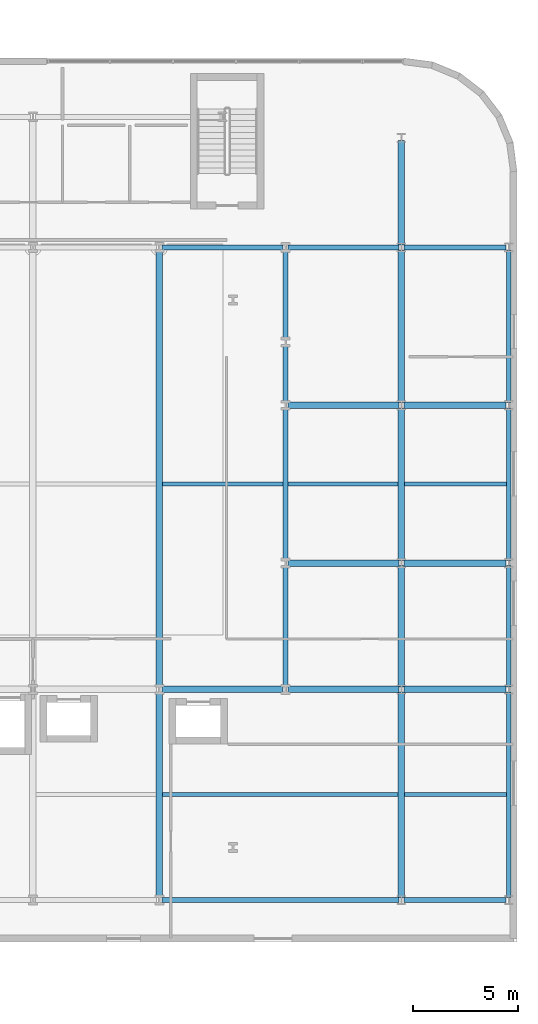
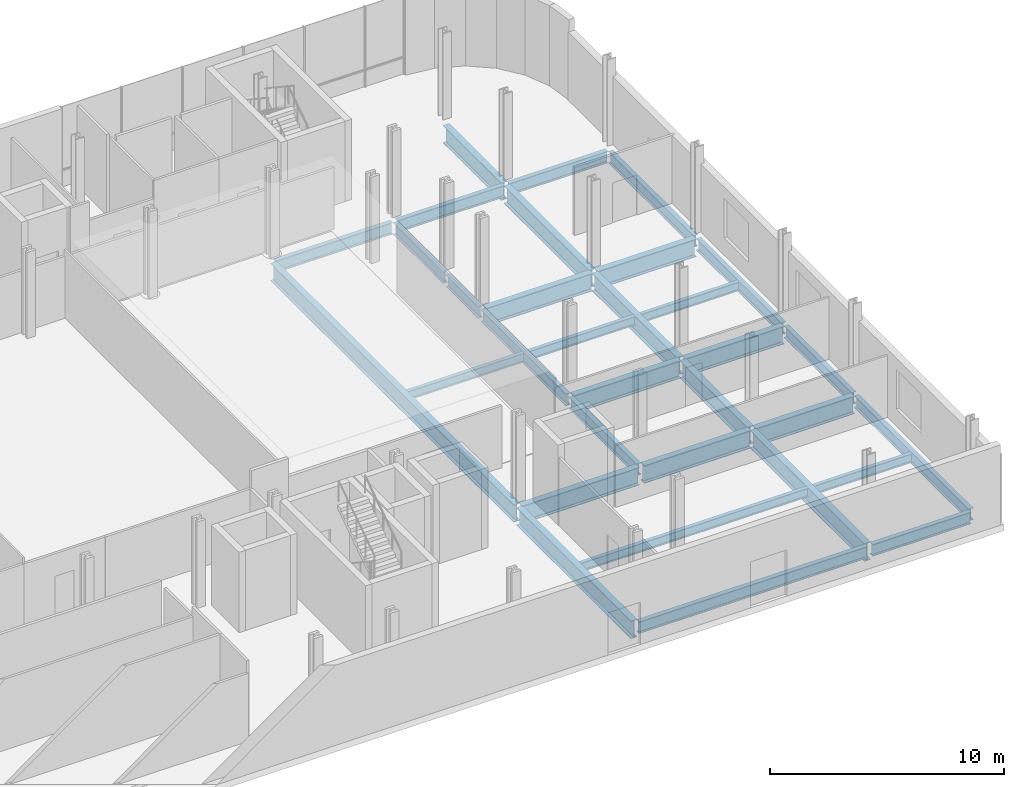
# One storey, part 12 of 28: 32 beams.
"""IFC4 building model written with IfcOpenShell, lengths in metres."""

from ifc_helpers import new_model, si_unit, direction, frame, origin, origin_2d, place, context, subcontext, project, spatial, i_section, extrude, material, material_profile, profile_set, type_object, element, save


model = new_model("IFC4")

# Units and contexts
model_context = context("Model", 3, precision=1e-05, world=origin(), true_north=direction((0.0, 1.0)))
body_context = subcontext(model_context, "Body", "Model", "MODEL_VIEW")
ifc_project = project(units=[si_unit("LENGTHUNIT", "METRE"), si_unit("AREAUNIT", "SQUARE_METRE"), si_unit("VOLUMEUNIT", "CUBIC_METRE"), si_unit("PLANEANGLEUNIT", "RADIAN"), si_unit("MASSUNIT", "GRAM", prefix="KILO")], contexts=[model_context])

# Site, building, storey
site_placement = place(None, origin())
site = spatial("IfcSite", under=ifc_project, at=site_placement, CompositionType="ELEMENT")
building_placement = place(site_placement, origin())
building = spatial("IfcBuilding", under=site, at=building_placement, Name="Brevholm Reach", CompositionType="ELEMENT")
storey_placement = place(building_placement, origin())
storey = spatial("IfcBuildingStorey", under=building, at=storey_placement, Name="L00", CompositionType="ELEMENT", Elevation=0.0)

# Beams
ifc_material_1 = material(Name="Structural Steel S355J2", Category="steel")
ifc_material_profile_1 = material_profile(ifc_material_1, i_section(OverallWidth=0.1904296875, OverallDepth=0.45703125, WebThickness=0.009033203125, FlangeThickness=0.014404296875, FilletRadius=0.01025390625, at=origin_2d()), Name="UKB 457x191x74")
ifc_profile_set_1 = profile_set([ifc_material_profile_1], Name="Structural Steel S355J2")
beam_type_1 = type_object("IfcBeamType", Name="BM-B457", PredefinedType="BEAM", material=ifc_profile_set_1)
beam_1_placement = place(storey_placement, frame((54.15380859375, 5.0, -0.568603515625), z_axis=(1.0, 0.0, 0.0), x_axis=(0.0, 1.0, 0.0)))
element("IfcBeam", 1, at=beam_1_placement, inside=storey, type_object=beam_type_1, Name="L00 Composite Secondary Floor Beam", PredefinedType="BEAM", context=body_context, shape_type="SweptSolid", body=[
    extrude(i_section(OverallWidth=0.1904296875, OverallDepth=0.45703125, WebThickness=0.009033203125, FlangeThickness=0.014404296875, FilletRadius=0.01025390625, at=origin_2d()), origin(), (0.0, 0.0, 1.0), 11.1923828125),
])
beam_2_placement = place(storey_placement, frame((65.65380859375, 5.0, -0.568603515625), z_axis=(1.0, 0.0, 0.0), x_axis=(0.0, 1.0, 0.0)))
element("IfcBeam", 2, at=beam_2_placement, inside=storey, type_object=beam_type_1, Name="L00 Composite Secondary Floor Beam", PredefinedType="BEAM", context=body_context, shape_type="SweptSolid", body=[
    extrude(i_section(OverallWidth=0.1904296875, OverallDepth=0.45703125, WebThickness=0.009033203125, FlangeThickness=0.014404296875, FilletRadius=0.01025390625, at=origin_2d()), origin(), (0.0, 0.0, 1.0), 4.831787109375),
])
beam_3_placement = place(storey_placement, frame((54.15380859375, 19.75, -0.568603515625), z_axis=(1.0, 0.0, 0.0), x_axis=(0.0, 1.0, 0.0)))
element("IfcBeam", 3, at=beam_3_placement, inside=storey, type_object=beam_type_1, Name="L00 Composite Secondary Floor Beam", PredefinedType="BEAM", context=body_context, shape_type="SweptSolid", body=[
    extrude(i_section(OverallWidth=0.1904296875, OverallDepth=0.45703125, WebThickness=0.009033203125, FlangeThickness=0.014404296875, FilletRadius=0.01025390625, at=origin_2d()), origin(), (0.0, 0.0, 1.0), 5.731689453125),
])
beam_4_placement = place(storey_placement, frame((60.114501953125, 19.75, -0.568603515625), z_axis=(1.0, 0.0, 0.0), x_axis=(0.0, 1.0, 0.0)))
element("IfcBeam", 4, at=beam_4_placement, inside=storey, type_object=beam_type_1, Name="L00 Composite Secondary Floor Beam", PredefinedType="BEAM", context=body_context, shape_type="SweptSolid", body=[
    extrude(i_section(OverallWidth=0.1904296875, OverallDepth=0.45703125, WebThickness=0.009033203125, FlangeThickness=0.014404296875, FilletRadius=0.01025390625, at=origin_2d()), origin(), (0.0, 0.0, 1.0), 5.231689453125),
])
beam_5_placement = place(storey_placement, frame((65.65380859375, 19.75, -0.568603515625), z_axis=(1.0, 0.0, 0.0), x_axis=(0.0, 1.0, 0.0)))
element("IfcBeam", 5, at=beam_5_placement, inside=storey, type_object=beam_type_1, Name="L00 Composite Secondary Floor Beam", PredefinedType="BEAM", context=body_context, shape_type="SweptSolid", body=[
    extrude(i_section(OverallWidth=0.1904296875, OverallDepth=0.45703125, WebThickness=0.009033203125, FlangeThickness=0.014404296875, FilletRadius=0.01025390625, at=origin_2d()), origin(), (0.0, 0.0, 1.0), 4.831787109375),
])
ifc_material_2 = material(Name="Structural Steel S355J2", Category="steel")
ifc_material_profile_2 = material_profile(ifc_material_2, i_section(OverallWidth=0.22900390625, OverallDepth=0.6123046875, WebThickness=0.011962890625, FlangeThickness=0.01953125, FilletRadius=0.0126953125, at=origin_2d()), Name="UKB 610x229x125")
ifc_profile_set_2 = profile_set([ifc_material_profile_2], Name="Structural Steel S355J2")
beam_type_2 = type_object("IfcBeamType", Name="BM-SP610", PredefinedType="SPANDREL", material=ifc_profile_set_2)
beam_6_placement = place(storey_placement, frame((54.1201171875, 0.0, -0.64599609375), z_axis=(1.0, 0.0, 0.0), x_axis=(0.0, 1.0, 0.0)))
element("IfcBeam", 6, at=beam_6_placement, inside=storey, type_object=beam_type_2, Name="L00 SP-01 Framing Beam", PredefinedType="SPANDREL", context=body_context, shape_type="SweptSolid", body=[
    extrude(i_section(OverallWidth=0.22900390625, OverallDepth=0.6123046875, WebThickness=0.011962890625, FlangeThickness=0.01953125, FilletRadius=0.0126953125, at=origin_2d()), origin(), (0.0, 0.0, 1.0), 11.259765625),
])
beam_7_placement = place(storey_placement, frame((65.6201171875, 0.0, -0.64599609375), z_axis=(1.0, 0.0, 0.0), x_axis=(0.0, 1.0, 0.0)))
element("IfcBeam", 7, at=beam_7_placement, inside=storey, type_object=beam_type_2, Name="L00 SP-01 Framing Beam", PredefinedType="SPANDREL", context=body_context, shape_type="SweptSolid", body=[
    extrude(i_section(OverallWidth=0.22900390625, OverallDepth=0.6123046875, WebThickness=0.011962890625, FlangeThickness=0.01953125, FilletRadius=0.0126953125, at=origin_2d()), origin(), (0.0, 0.0, 1.0), 4.85986328125),
])
beam_8_placement = place(storey_placement, frame((54.1201171875, 31.0, -0.64599609375), z_axis=(1.0, 0.0, 0.0), x_axis=(0.0, 1.0, 0.0)))
element("IfcBeam", 8, at=beam_8_placement, inside=storey, type_object=beam_type_2, Name="L00 SP-01 Framing Beam", PredefinedType="SPANDREL", context=body_context, shape_type="SweptSolid", body=[
    extrude(i_section(OverallWidth=0.22900390625, OverallDepth=0.6123046875, WebThickness=0.011962890625, FlangeThickness=0.01953125, FilletRadius=0.0126953125, at=origin_2d()), origin(), (0.0, 0.0, 1.0), 5.759765625),
])
beam_9_placement = place(storey_placement, frame((60.1201171875, 31.0, -0.64599609375), z_axis=(1.0, 0.0, 0.0), x_axis=(0.0, 1.0, 0.0)))
element("IfcBeam", 9, at=beam_9_placement, inside=storey, type_object=beam_type_2, Name="L00 SP-01 Framing Beam", PredefinedType="SPANDREL", context=body_context, shape_type="SweptSolid", body=[
    extrude(i_section(OverallWidth=0.22900390625, OverallDepth=0.6123046875, WebThickness=0.011962890625, FlangeThickness=0.01953125, FilletRadius=0.0126953125, at=origin_2d()), origin(), (0.0, 0.0, 1.0), 5.259765625),
])
beam_10_placement = place(storey_placement, frame((65.6201171875, 31.0, -0.64599609375), z_axis=(1.0, 0.0, 0.0), x_axis=(0.0, 1.0, 0.0)))
element("IfcBeam", 10, at=beam_10_placement, inside=storey, type_object=beam_type_2, Name="L00 SP-01 Framing Beam", PredefinedType="SPANDREL", context=body_context, shape_type="SweptSolid", body=[
    extrude(i_section(OverallWidth=0.22900390625, OverallDepth=0.6123046875, WebThickness=0.011962890625, FlangeThickness=0.01953125, FilletRadius=0.0126953125, at=origin_2d()), origin(), (0.0, 0.0, 1.0), 4.85986328125),
])
beam_11_placement = place(storey_placement, frame((60.0, 10.1201171875, -0.64599609375), z_axis=(0.0, 1.0, 0.0), x_axis=(-1.0, 0.0, 0.0)))
element("IfcBeam", 11, at=beam_11_placement, inside=storey, type_object=beam_type_2, Name="L00 SP-01 Framing Beam", PredefinedType="SPANDREL", context=body_context, shape_type="SweptSolid", body=[
    extrude(i_section(OverallWidth=0.22900390625, OverallDepth=0.6123046875, WebThickness=0.011962890625, FlangeThickness=0.01953125, FilletRadius=0.0126953125, at=origin_2d()), origin(), (0.0, 0.0, 1.0), 5.759765625),
])
beam_12_placement = place(storey_placement, frame((60.0, 16.1201171875, -0.64599609375), z_axis=(0.0, 1.0, 0.0), x_axis=(-1.0, 0.0, 0.0)))
element("IfcBeam", 12, at=beam_12_placement, inside=storey, type_object=beam_type_2, Name="L00 SP-01 Framing Beam", PredefinedType="SPANDREL", context=body_context, shape_type="SweptSolid", body=[
    extrude(i_section(OverallWidth=0.22900390625, OverallDepth=0.6123046875, WebThickness=0.011962890625, FlangeThickness=0.01953125, FilletRadius=0.0126953125, at=origin_2d()), origin(), (0.0, 0.0, 1.0), 7.259765625),
])
beam_13_placement = place(storey_placement, frame((60.0, 23.6201171875, -0.64599609375), z_axis=(0.0, 1.0, 0.0), x_axis=(-1.0, 0.0, 0.0)))
element("IfcBeam", 13, at=beam_13_placement, inside=storey, type_object=beam_type_2, Name="L00 SP-01 Framing Beam", PredefinedType="SPANDREL", context=body_context, shape_type="SweptSolid", body=[
    extrude(i_section(OverallWidth=0.22900390625, OverallDepth=0.6123046875, WebThickness=0.011962890625, FlangeThickness=0.01953125, FilletRadius=0.0126953125, at=origin_2d()), origin(), (0.0, 0.0, 1.0), 2.759765625),
])
beam_14_placement = place(storey_placement, frame((60.0, 26.6201171875, -0.64599609375), z_axis=(0.0, 1.0, 0.0), x_axis=(-1.0, 0.0, 0.0)))
element("IfcBeam", 14, at=beam_14_placement, inside=storey, type_object=beam_type_2, Name="L00 SP-01 Framing Beam", PredefinedType="SPANDREL", context=body_context, shape_type="SweptSolid", body=[
    extrude(i_section(OverallWidth=0.22900390625, OverallDepth=0.6123046875, WebThickness=0.011962890625, FlangeThickness=0.01953125, FilletRadius=0.0126953125, at=origin_2d()), origin(), (0.0, 0.0, 1.0), 4.259765625),
])
beam_15_placement = place(storey_placement, frame((70.60009765625, 0.1201171875, -0.64599609375), z_axis=(0.0, 1.0, 0.0), x_axis=(-1.0, 0.0, 0.0)))
element("IfcBeam", 15, at=beam_15_placement, inside=storey, type_object=beam_type_2, Name="L00 SP-01 Framing Beam", PredefinedType="SPANDREL", context=body_context, shape_type="SweptSolid", body=[
    extrude(i_section(OverallWidth=0.22900390625, OverallDepth=0.6123046875, WebThickness=0.011962890625, FlangeThickness=0.01953125, FilletRadius=0.0126953125, at=origin_2d()), origin(), (0.0, 0.0, 1.0), 9.759765625),
])
beam_16_placement = place(storey_placement, frame((70.60009765625, 10.1201171875, -0.64599609375), z_axis=(0.0, 1.0, 0.0), x_axis=(-1.0, 0.0, 0.0)))
element("IfcBeam", 16, at=beam_16_placement, inside=storey, type_object=beam_type_2, Name="L00 SP-01 Framing Beam", PredefinedType="SPANDREL", context=body_context, shape_type="SweptSolid", body=[
    extrude(i_section(OverallWidth=0.22900390625, OverallDepth=0.6123046875, WebThickness=0.011962890625, FlangeThickness=0.01953125, FilletRadius=0.0126953125, at=origin_2d()), origin(), (0.0, 0.0, 1.0), 5.759765625),
])
for number, where, z_axis, x_axis, name in (
    (17, (70.60009765625, 16.1201171875, -0.64599609375), (0.0, 1.0, 0.0), (-1.0, 0.0, 0.0), "L00 SP-01 Framing Beam"),
    (18, (70.60009765625, 23.6201171875, -0.64599609375), (0.0, 1.0, 0.0), (-1.0, 0.0, 0.0), "L00 SP-01 Framing Beam"),
):
    element("IfcBeam", number, at=place(storey_placement, frame(where, z_axis=z_axis, x_axis=x_axis)), inside=storey, type_object=beam_type_2, Name=name, PredefinedType="SPANDREL", context=body_context, shape_type="SweptSolid", body=[
        extrude(i_section(OverallWidth=0.22900390625, OverallDepth=0.6123046875, WebThickness=0.011962890625, FlangeThickness=0.01953125, FilletRadius=0.0126953125, at=origin_2d()), origin(), (0.0, 0.0, 1.0), 7.259765625),
    ])
ifc_material_3 = material(Name="Structural Steel S460ML", Category="steel")
ifc_material_profile_3 = material_profile(ifc_material_3, i_section(OverallWidth=0.3076171875, OverallDepth=0.926513671875, WebThickness=0.01953125, FlangeThickness=0.031982421875, FilletRadius=0.01904296875, at=origin_2d()), Name="UKB 914x305x289")
ifc_profile_set_3 = profile_set([ifc_material_profile_3], Name="Structural Steel S460ML")
beam_type_3 = type_object("IfcBeamType", Name="BM-UKB914B", PredefinedType="USERDEFINED", material=ifc_profile_set_3)
beam_17_placement = place(storey_placement, frame((54.1201171875, 10.0, -0.80322265625), z_axis=(1.0, 0.0, 0.0), x_axis=(0.0, 1.0, 0.0)))
element("IfcBeam", 19, at=beam_17_placement, inside=storey, type_object=beam_type_3, Name="L00 G-02B Framing Beam", ObjectType="GIRDER", PredefinedType="USERDEFINED", context=body_context, shape_type="SweptSolid", body=[
    extrude(i_section(OverallWidth=0.3076171875, OverallDepth=0.926513671875, WebThickness=0.01953125, FlangeThickness=0.031982421875, FilletRadius=0.01904296875, at=origin_2d()), origin(), (0.0, 0.0, 1.0), 5.759765625),
])
beam_18_placement = place(storey_placement, frame((60.1201171875, 10.0, -0.80322265625), z_axis=(1.0, 0.0, 0.0), x_axis=(0.0, 1.0, 0.0)))
element("IfcBeam", 20, at=beam_18_placement, inside=storey, type_object=beam_type_3, Name="L00 G-02B Framing Beam", ObjectType="GIRDER", PredefinedType="USERDEFINED", context=body_context, shape_type="SweptSolid", body=[
    extrude(i_section(OverallWidth=0.3076171875, OverallDepth=0.926513671875, WebThickness=0.01953125, FlangeThickness=0.031982421875, FilletRadius=0.01904296875, at=origin_2d()), origin(), (0.0, 0.0, 1.0), 5.259765625),
])
beam_19_placement = place(storey_placement, frame((65.6201171875, 10.0, -0.80322265625), z_axis=(1.0, 0.0, 0.0), x_axis=(0.0, 1.0, 0.0)))
element("IfcBeam", 21, at=beam_19_placement, inside=storey, type_object=beam_type_3, Name="L00 G-02B Framing Beam", ObjectType="GIRDER", PredefinedType="USERDEFINED", context=body_context, shape_type="SweptSolid", body=[
    extrude(i_section(OverallWidth=0.3076171875, OverallDepth=0.926513671875, WebThickness=0.01953125, FlangeThickness=0.031982421875, FilletRadius=0.01904296875, at=origin_2d()), origin(), (0.0, 0.0, 1.0), 4.85986328125),
])
beam_20_placement = place(storey_placement, frame((60.1201171875, 16.0, -0.80322265625), z_axis=(1.0, 0.0, 0.0), x_axis=(0.0, 1.0, 0.0)))
element("IfcBeam", 22, at=beam_20_placement, inside=storey, type_object=beam_type_3, Name="L00 G-02B Framing Beam", ObjectType="GIRDER", PredefinedType="USERDEFINED", context=body_context, shape_type="SweptSolid", body=[
    extrude(i_section(OverallWidth=0.3076171875, OverallDepth=0.926513671875, WebThickness=0.01953125, FlangeThickness=0.031982421875, FilletRadius=0.01904296875, at=origin_2d()), origin(), (0.0, 0.0, 1.0), 5.259765625),
])
beam_21_placement = place(storey_placement, frame((65.6201171875, 16.0, -0.80322265625), z_axis=(1.0, 0.0, 0.0), x_axis=(0.0, 1.0, 0.0)))
element("IfcBeam", 23, at=beam_21_placement, inside=storey, type_object=beam_type_3, Name="L00 G-02B Framing Beam", ObjectType="GIRDER", PredefinedType="USERDEFINED", context=body_context, shape_type="SweptSolid", body=[
    extrude(i_section(OverallWidth=0.3076171875, OverallDepth=0.926513671875, WebThickness=0.01953125, FlangeThickness=0.031982421875, FilletRadius=0.01904296875, at=origin_2d()), origin(), (0.0, 0.0, 1.0), 4.85986328125),
])
beam_22_placement = place(storey_placement, frame((60.1201171875, 23.5, -0.80322265625), z_axis=(1.0, 0.0, 0.0), x_axis=(0.0, 1.0, 0.0)))
element("IfcBeam", 24, at=beam_22_placement, inside=storey, type_object=beam_type_3, Name="L00 G-02B Framing Beam", ObjectType="GIRDER", PredefinedType="USERDEFINED", context=body_context, shape_type="SweptSolid", body=[
    extrude(i_section(OverallWidth=0.3076171875, OverallDepth=0.926513671875, WebThickness=0.01953125, FlangeThickness=0.031982421875, FilletRadius=0.01904296875, at=origin_2d()), origin(), (0.0, 0.0, 1.0), 5.259765625),
])
beam_23_placement = place(storey_placement, frame((65.6201171875, 23.5, -0.80322265625), z_axis=(1.0, 0.0, 0.0), x_axis=(0.0, 1.0, 0.0)))
element("IfcBeam", 25, at=beam_23_placement, inside=storey, type_object=beam_type_3, Name="L00 G-02B Framing Beam", ObjectType="GIRDER", PredefinedType="USERDEFINED", context=body_context, shape_type="SweptSolid", body=[
    extrude(i_section(OverallWidth=0.3076171875, OverallDepth=0.926513671875, WebThickness=0.01953125, FlangeThickness=0.031982421875, FilletRadius=0.01904296875, at=origin_2d()), origin(), (0.0, 0.0, 1.0), 4.85986328125),
])
beam_24_placement = place(storey_placement, frame((54.0, 0.1201171875, -0.80322265625), z_axis=(0.0, 1.0, 0.0), x_axis=(-1.0, 0.0, 0.0)))
element("IfcBeam", 26, at=beam_24_placement, inside=storey, type_object=beam_type_3, Name="L00 G-02B Framing Beam", ObjectType="GIRDER", PredefinedType="USERDEFINED", context=body_context, shape_type="SweptSolid", body=[
    extrude(i_section(OverallWidth=0.3076171875, OverallDepth=0.926513671875, WebThickness=0.01953125, FlangeThickness=0.031982421875, FilletRadius=0.01904296875, at=origin_2d()), origin(), (0.0, 0.0, 1.0), 9.759765625),
])
beam_25_placement = place(storey_placement, frame((54.0, 10.1201171875, -0.80322265625), z_axis=(0.0, 1.0, 0.0), x_axis=(-1.0, 0.0, 0.0)))
element("IfcBeam", 27, at=beam_25_placement, inside=storey, type_object=beam_type_3, Name="L00 G-02B Framing Beam", ObjectType="GIRDER", PredefinedType="USERDEFINED", context=body_context, shape_type="SweptSolid", body=[
    extrude(i_section(OverallWidth=0.3076171875, OverallDepth=0.926513671875, WebThickness=0.01953125, FlangeThickness=0.031982421875, FilletRadius=0.01904296875, at=origin_2d()), origin(), (0.0, 0.0, 1.0), 20.759765625),
])
beam_26_placement = place(storey_placement, frame((65.5, 0.1201171875, -0.80322265625), z_axis=(0.0, 1.0, 0.0), x_axis=(-1.0, 0.0, 0.0)))
element("IfcBeam", 28, at=beam_26_placement, inside=storey, type_object=beam_type_3, Name="L00 G-02B Framing Beam", ObjectType="GIRDER", PredefinedType="USERDEFINED", context=body_context, shape_type="SweptSolid", body=[
    extrude(i_section(OverallWidth=0.3076171875, OverallDepth=0.926513671875, WebThickness=0.01953125, FlangeThickness=0.031982421875, FilletRadius=0.01904296875, at=origin_2d()), origin(), (0.0, 0.0, 1.0), 9.759765625),
])
beam_27_placement = place(storey_placement, frame((65.5, 10.1201171875, -0.80322265625), z_axis=(0.0, 1.0, 0.0), x_axis=(-1.0, 0.0, 0.0)))
element("IfcBeam", 29, at=beam_27_placement, inside=storey, type_object=beam_type_3, Name="L00 G-02B Framing Beam", ObjectType="GIRDER", PredefinedType="USERDEFINED", context=body_context, shape_type="SweptSolid", body=[
    extrude(i_section(OverallWidth=0.3076171875, OverallDepth=0.926513671875, WebThickness=0.01953125, FlangeThickness=0.031982421875, FilletRadius=0.01904296875, at=origin_2d()), origin(), (0.0, 0.0, 1.0), 5.759765625),
])
for number, where, z_axis, x_axis, name in (
    (30, (65.5, 16.1201171875, -0.80322265625), (0.0, 1.0, 0.0), (-1.0, 0.0, 0.0), "L00 G-02B Framing Beam"),
    (31, (65.5, 23.6201171875, -0.80322265625), (0.0, 1.0, 0.0), (-1.0, 0.0, 0.0), "L00 G-02B Framing Beam"),
):
    element("IfcBeam", number, at=place(storey_placement, frame(where, z_axis=z_axis, x_axis=x_axis)), inside=storey, type_object=beam_type_3, Name=name, ObjectType="GIRDER", PredefinedType="USERDEFINED", context=body_context, shape_type="SweptSolid", body=[
        extrude(i_section(OverallWidth=0.3076171875, OverallDepth=0.926513671875, WebThickness=0.01953125, FlangeThickness=0.031982421875, FilletRadius=0.01904296875, at=origin_2d()), origin(), (0.0, 0.0, 1.0), 7.259765625),
    ])
beam_28_placement = place(storey_placement, frame((65.5, 31.1201171875, -0.80322265625), z_axis=(0.0, 1.0, 0.0), x_axis=(-1.0, 0.0, 0.0)))
element("IfcBeam", 32, at=beam_28_placement, inside=storey, type_object=beam_type_3, Name="L00 G-02B Framing Beam", ObjectType="GIRDER", PredefinedType="USERDEFINED", context=body_context, shape_type="SweptSolid", body=[
    extrude(i_section(OverallWidth=0.3076171875, OverallDepth=0.926513671875, WebThickness=0.01953125, FlangeThickness=0.031982421875, FilletRadius=0.01904296875, at=origin_2d()), origin(), (0.0, 0.0, 1.0), 4.9599609375),
])

save(model, "model.ifc")
